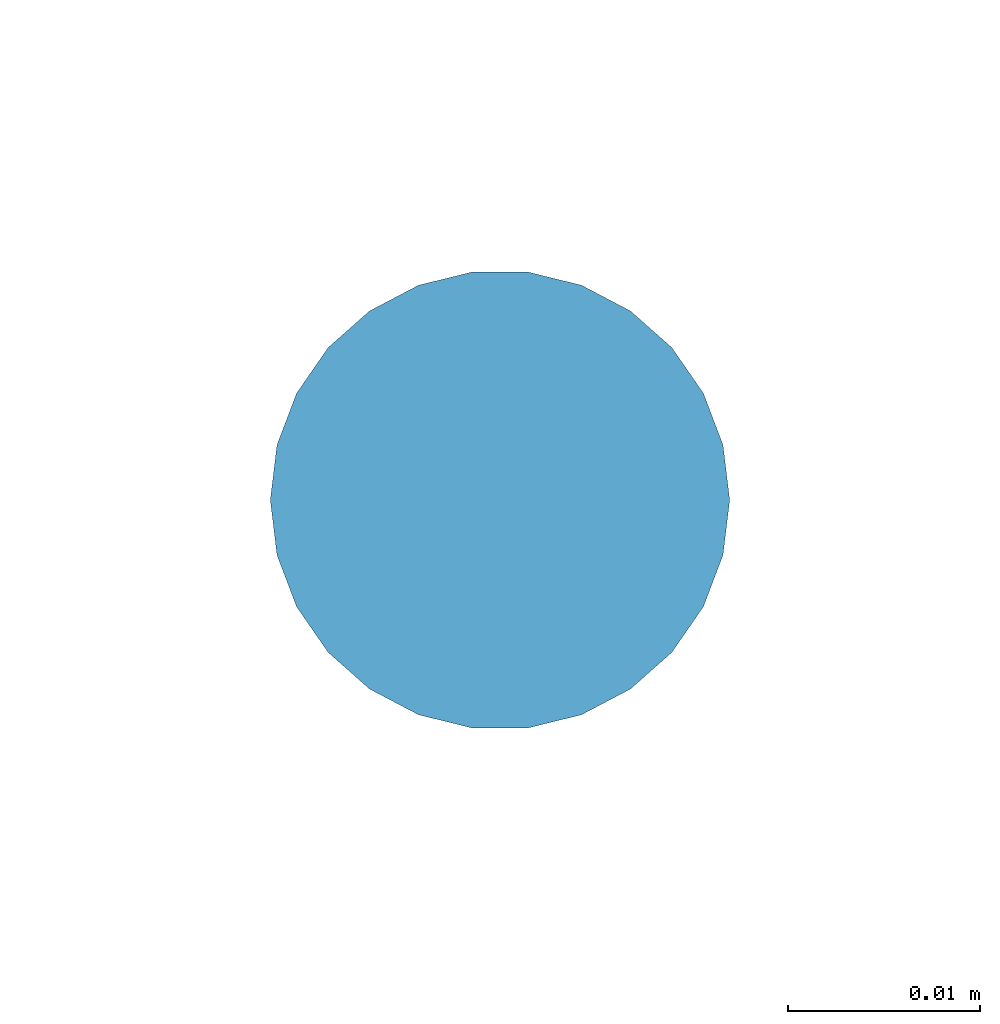
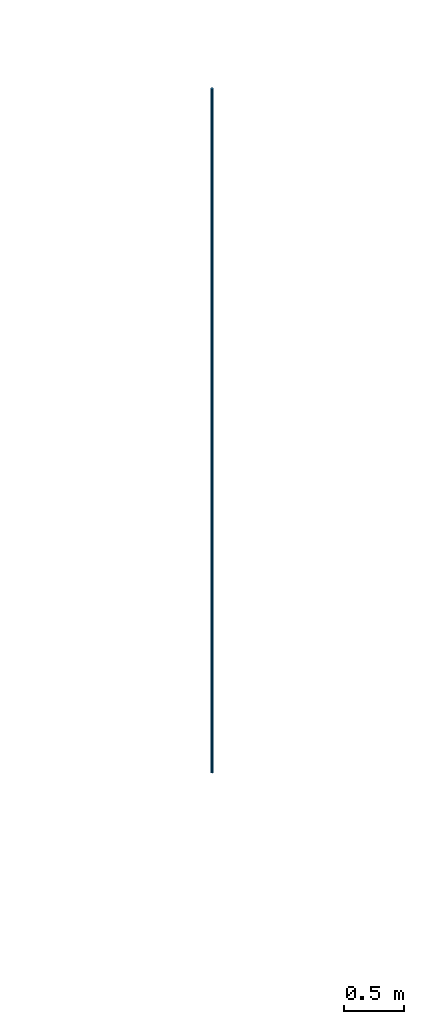
# One storey, part 24 of 62: 1 member.
"""IFC4 building model written with IfcOpenShell, lengths in metres."""

from ifc_helpers import new_model, si_unit, direction, frame, origin, origin_2d, place, context, subcontext, project, spatial, circle, extrude, material, material_profile, profile_set, type_object, element, save


model = new_model("IFC4")

# Units and contexts
model_context = context("Model", 3, precision=1e-05, world=origin(), true_north=direction((0.0, 1.0)))
body_context = subcontext(model_context, "Body", "Model", "MODEL_VIEW")
ifc_project = project(units=[si_unit("LENGTHUNIT", "METRE"), si_unit("AREAUNIT", "SQUARE_METRE"), si_unit("VOLUMEUNIT", "CUBIC_METRE"), si_unit("PLANEANGLEUNIT", "RADIAN"), si_unit("MASSUNIT", "GRAM", prefix="KILO")], contexts=[model_context])

# Site, building, storey
site_placement = place(None, origin())
site = spatial("IfcSite", under=ifc_project, at=site_placement, CompositionType="ELEMENT")
building_placement = place(site_placement, origin())
building = spatial("IfcBuilding", under=site, at=building_placement, Name="Hortulan Conservatory and Botanical Research Centre", CompositionType="ELEMENT")
storey_placement = place(building_placement, frame((0.0, 0.0, 15.0)))
storey = spatial("IfcBuildingStorey", under=building, at=storey_placement, Name="L03", CompositionType="ELEMENT", Elevation=15.0)

# Member
ifc_material = material(Name="Steel Grade 300PLUS (AS/NZS 3679.1, 280 MPa minimum yield)", Category="steel")
ifc_material_profile = material_profile(ifc_material, circle(Radius=0.011962890625, at=origin_2d()), Name="24 dia rod")
ifc_profile_set = profile_set([ifc_material_profile], Name="Steel Grade 300PLUS (AS/NZS 3679.1, 280 MPa minimum yield)")
member_type = type_object("IfcMemberType", Name="Vault Hanger 24 dia rod", PredefinedType="POST", material=ifc_profile_set)
member_placement = place(storey_placement, frame((99.0, 72.0, -1.0), z_axis=(0.0, 0.0, 1.0), x_axis=(1.0, 0.0, 0.0)))
element("IfcMember", 1, at=member_placement, inside=storey, type_object=member_type, Name="Vault hanger 5", PredefinedType="POST", context=body_context, shape_type="SweptSolid", body=[
    extrude(circle(Radius=0.011962890625, at=origin_2d()), origin(), (0.0, 0.0, 1.0), 7.0),
])

save(model, "model.ifc")
